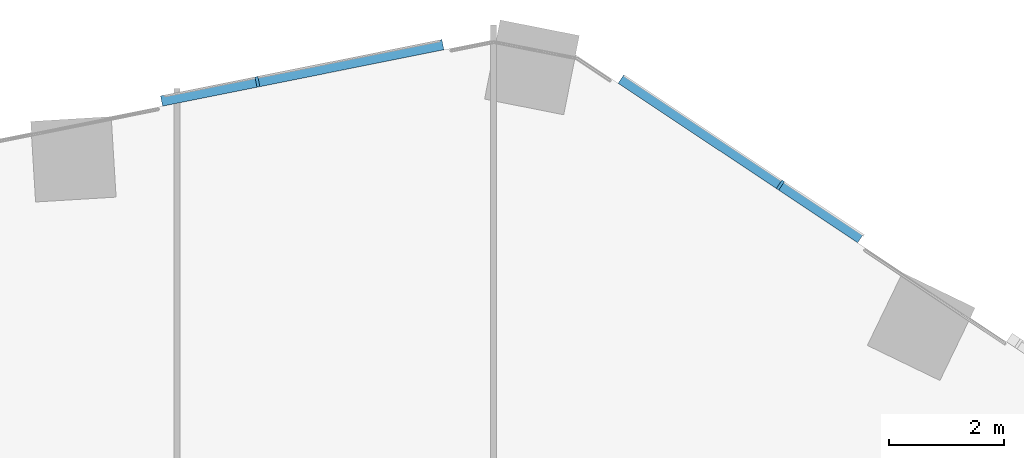
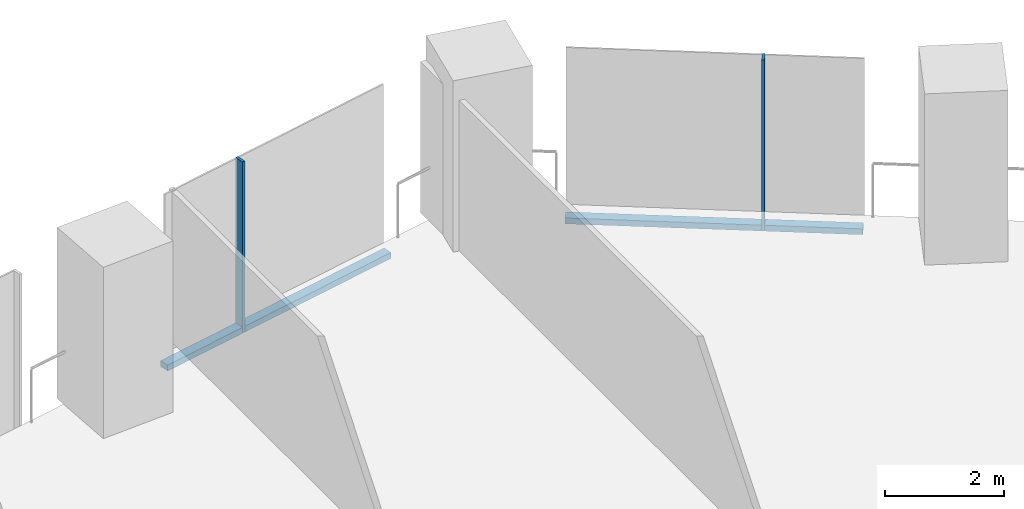
# One storey, part 13 of 32: 4 members, 2 elements without a shape of their own.
"""IFC4 building model written with IfcOpenShell, lengths in metres."""

from ifc_helpers import new_model, si_unit, direction, frame, origin, origin_2d, place, context, subcontext, project, spatial, rectangle, extrude, material, material_profile, profile_set, type_object, element, aggregate, save


model = new_model("IFC4")

# Units and contexts
model_context = context("Model", 3, precision=1e-05, world=origin(), true_north=direction((0.0, 1.0)))
body_context = subcontext(model_context, "Body", "Model", "MODEL_VIEW")
ifc_project = project(units=[si_unit("LENGTHUNIT", "METRE"), si_unit("AREAUNIT", "SQUARE_METRE"), si_unit("VOLUMEUNIT", "CUBIC_METRE"), si_unit("PLANEANGLEUNIT", "RADIAN"), si_unit("MASSUNIT", "GRAM", prefix="KILO")], contexts=[model_context])

# Site, building, storey
site_placement = place(None, origin())
site = spatial("IfcSite", under=ifc_project, at=site_placement, CompositionType="ELEMENT")
building_placement = place(site_placement, origin())
building = spatial("IfcBuilding", under=site, at=building_placement, Name="Orlundy Tower", CompositionType="ELEMENT")
storey_placement = place(building_placement, frame((0.0, 0.0, 58.800048828125)))
storey = spatial("IfcBuildingStorey", under=building, at=storey_placement, Name="L13", CompositionType="ELEMENT", Elevation=58.800048828125)

# Curtain wall, member
ifc_material_1 = material(Name="Aluminium bronze anodised", Category="aluminium")
curtain_wall_type = type_object("IfcCurtainWallType", Name="CW1 wall", PredefinedType="NOTDEFINED", material=ifc_material_1)
curtain_wall_1_placement = place(storey_placement, origin())
curtain_wall_1 = element("IfcCurtainWall", 1, at=curtain_wall_1_placement, inside=storey, type_object=curtain_wall_type, Name="CW1 run 015", PredefinedType="NOTDEFINED")
ifc_material_2 = material(Name="Aluminium bronze anodised", Category="aluminium")
ifc_material_profile_1 = material_profile(ifc_material_2, rectangle(XDim=0.179931640625, YDim=0.050048828125, at=origin_2d()), Name="CW1 mullion 50x180")
ifc_profile_set_1 = profile_set([ifc_material_profile_1], Name="Aluminium bronze anodised")
member_type_1 = type_object("IfcMemberType", Name="CW1 mullion 50x180", PredefinedType="MULLION", material=ifc_profile_set_1)
member_1_placement = place(storey_placement, frame((1.3974609375, 30.968505859375, -0.400146484375), z_axis=(0.0, 0.0, 1.0), x_axis=(-0.196510737775, 0.980501672583, 0.0)))
member_1 = element("IfcMember", 2, at=member_1_placement, type_object=member_type_1, Name="CW1 mullion 43", PredefinedType="MULLION", context=body_context, shape_type="SweptSolid", body=[
    extrude(rectangle(XDim=0.179931640625, YDim=0.050048828125, at=origin_2d()), origin(), (0.0, 0.0, 1.0), 3.5),
])

curtain_wall_2_placement = place(storey_placement, origin())
curtain_wall_2 = element("IfcCurtainWall", 3, at=curtain_wall_2_placement, inside=storey, type_object=curtain_wall_type, Name="CW1 run 016", PredefinedType="NOTDEFINED")
member_2_placement = place(storey_placement, frame((10.4755859375, 29.176513671875, -0.400146484375), z_axis=(0.0, 0.0, 1.0), x_axis=(0.554356579774, 0.832279269513, 0.0)))
member_2 = element("IfcMember", 4, at=member_2_placement, type_object=member_type_1, Name="CW1 mullion 45", PredefinedType="MULLION", context=body_context, shape_type="SweptSolid", body=[
    extrude(rectangle(XDim=0.179931640625, YDim=0.050048828125, at=origin_2d()), origin(), (0.0, 0.0, 1.0), 3.5),
])

# Member
ifc_material_3 = material(Name="Aluminium bronze anodised", Category="aluminium")
ifc_material_profile_2 = material_profile(ifc_material_3, rectangle(XDim=0.179931640625, YDim=0.1201171875, at=origin_2d()), Name="CW1 transom 180x120")
ifc_profile_set_2 = profile_set([ifc_material_profile_2], Name="Aluminium bronze anodised")
member_type_2 = type_object("IfcMemberType", Name="CW1 transom 180x120", PredefinedType="USERDEFINED", material=ifc_profile_set_2)
member_3_placement = place(storey_placement, frame((-0.26611328125, 30.635009765625, -0.340087890625), z_axis=(0.980499520245, 0.196521476686, 0.0), x_axis=(-0.196521476686, 0.980499520245, 0.0)))
member_3 = element("IfcMember", 5, at=member_3_placement, type_object=member_type_2, Name="CW1 transom", ObjectType="TRANSOM", PredefinedType="USERDEFINED", context=body_context, shape_type="SweptSolid", body=[
    extrude(rectangle(XDim=0.179931640625, YDim=0.1201171875, at=origin_2d()), origin(), (0.0, 0.0, 1.0), 4.98046875),
])

aggregate(curtain_wall_1, [member_1, member_3])

member_4_placement = place(storey_placement, frame((7.708740234375, 31.01953125, -0.340087890625), z_axis=(0.832268243036, -0.554373133939, 0.0), x_axis=(0.554373133939, 0.832268243036, 0.0)))
member_4 = element("IfcMember", 6, at=member_4_placement, type_object=member_type_2, Name="CW1 transom", ObjectType="TRANSOM", PredefinedType="USERDEFINED", context=body_context, shape_type="SweptSolid", body=[
    extrude(rectangle(XDim=0.179931640625, YDim=0.1201171875, at=origin_2d()), origin(), (0.0, 0.0, 1.0), 4.996337890625),
])

aggregate(curtain_wall_2, [member_2, member_4])

save(model, "model.ifc")
